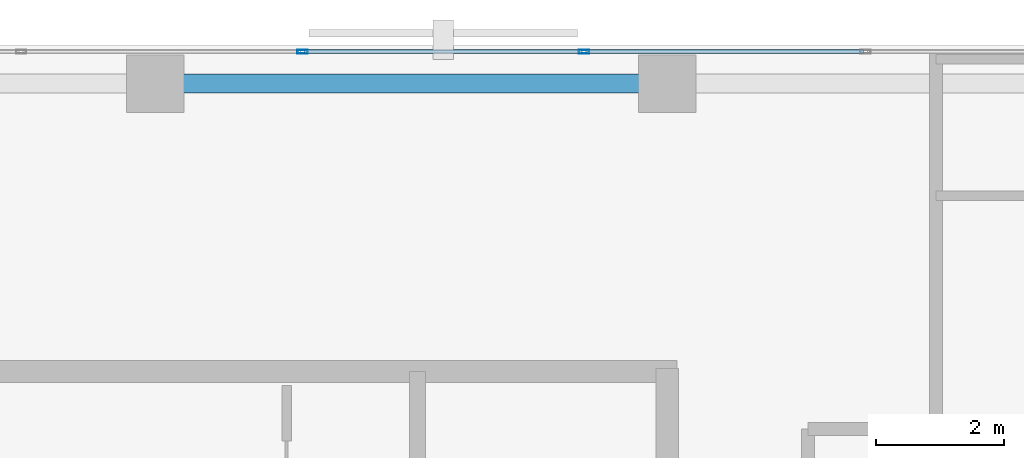
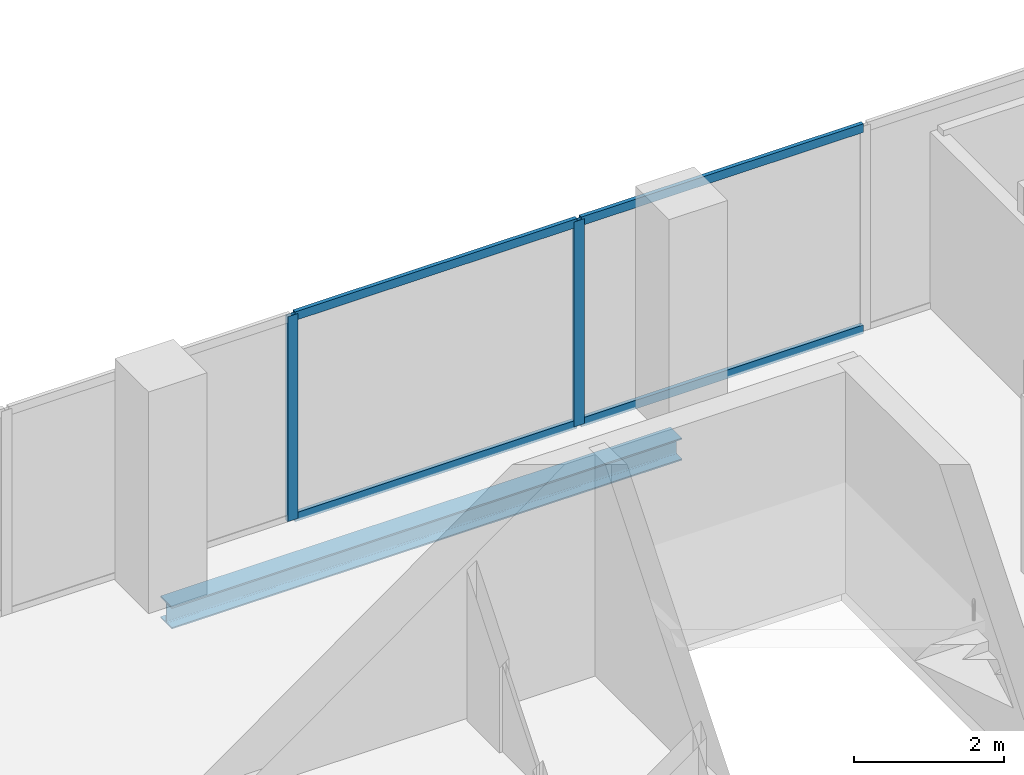
# One storey, part 24 of 33: 6 members, 1 beam, 1 element without a shape of its own.
"""IFC4 building model written with IfcOpenShell, lengths in metres."""

from ifc_helpers import new_model, si_unit, direction, frame, origin, origin_2d, place, context, subcontext, project, spatial, hollow_rectangle, i_section, extrude, material, layer, layer_set, material_profile, profile_set, type_object, element, aggregate, save


model = new_model("IFC4")

# Units and contexts
model_context = context("Model", 3, precision=1e-05, world=origin(), true_north=direction((0.0, 1.0)))
body_context = subcontext(model_context, "Body", "Model", "MODEL_VIEW")
ifc_project = project(units=[si_unit("LENGTHUNIT", "METRE"), si_unit("AREAUNIT", "SQUARE_METRE"), si_unit("VOLUMEUNIT", "CUBIC_METRE"), si_unit("PLANEANGLEUNIT", "RADIAN"), si_unit("MASSUNIT", "GRAM", prefix="KILO")], contexts=[model_context])

# Site, building, storey
site_placement = place(None, origin())
site = spatial("IfcSite", under=ifc_project, at=site_placement, CompositionType="ELEMENT")
building_placement = place(site_placement, origin())
building = spatial("IfcBuilding", under=site, at=building_placement, Name="Catumbela Crestline Tower", CompositionType="ELEMENT")
storey_placement = place(building_placement, frame((0.0, 0.0, 104.4)))
storey = spatial("IfcBuildingStorey", under=building, at=storey_placement, Name="L26", CompositionType="ELEMENT", Elevation=104.4)

# Curtain wall, members
ifc_material_1 = material(Name="Aluminium alloy AW-6060-T66", Category="aluminium")
ifc_layer = layer(ifc_material_1, 0.18, Name="Aluminium alloy AW-6060-T66")
ifc_layer_set = layer_set([ifc_layer], Name="Aluminium alloy AW-6060-T66")
curtain_wall_type = type_object("IfcCurtainWallType", Name="CWU-Z2", PredefinedType="USERDEFINED", material=ifc_layer_set)
curtain_wall_placement = place(storey_placement, origin())
curtain_wall = element("IfcCurtainWall", 1, at=curtain_wall_placement, inside=storey, type_object=curtain_wall_type, Name="L26 Unitised Curtain Wall CW-L26-E7S1", ObjectType="UNITISED", PredefinedType="USERDEFINED")
ifc_material_profile_1 = material_profile(ifc_material_1, hollow_rectangle(XDim=0.06, YDim=0.16, WallThickness=0.004, at=origin_2d()), Name="ALU 160x60x4")
ifc_profile_set_1 = profile_set([ifc_material_profile_1], Name="Aluminium alloy AW-6060-T66")
member_type_1 = type_object("IfcMemberType", Name="MUL-160X60", PredefinedType="MULLION", material=ifc_profile_set_1)
member_1_placement = place(storey_placement, frame((38.7, 47.9, 0.0), z_axis=(0.0, 0.0, 1.0), x_axis=(0.0, -1.0, 0.0)))
member_1 = element("IfcMember", 2, at=member_1_placement, type_object=member_type_1, Name="CWU-Z2 mullion 3", PredefinedType="MULLION", context=body_context, shape_type="SweptSolid", body=[
    extrude(hollow_rectangle(XDim=0.06, YDim=0.16, WallThickness=0.004, at=origin_2d()), origin(), (0.0, 0.0, 1.0), 3.33),
])
member_2_placement = place(storey_placement, frame((34.3, 47.9, 0.0), z_axis=(0.0, 0.0, 1.0), x_axis=(0.0, -1.0, 0.0)))
member_2 = element("IfcMember", 3, at=member_2_placement, type_object=member_type_1, Name="CWU-Z2 mullion 4", PredefinedType="MULLION", context=body_context, shape_type="SweptSolid", body=[
    extrude(hollow_rectangle(XDim=0.06, YDim=0.16, WallThickness=0.004, at=origin_2d()), origin(), (0.0, 0.0, 1.0), 3.33),
])

# Beam
ifc_material_2 = material(Name="Structural steel S355J2", Category="steel")
ifc_material_profile_2 = material_profile(ifc_material_2, i_section(OverallWidth=0.3, OverallDepth=0.36, WebThickness=0.0125, FlangeThickness=0.0225, FilletRadius=0.027, at=origin_2d()), Name="HEB 360")
ifc_profile_set_2 = profile_set([ifc_material_profile_2], Name="Structural steel S355J2")
beam_type = type_object("IfcBeamType", Name="BS-HEB360", PredefinedType="SPANDREL", material=ifc_profile_set_2)
beam_placement = place(storey_placement, frame((32.08, 47.4, -0.44), z_axis=(1.0, 0.0, 0.0), x_axis=(0.0, 1.0, 0.0)))
element("IfcBeam", 4, at=beam_placement, inside=storey, type_object=beam_type, Name="L26 Spandrel SP-L26-NF20", PredefinedType="SPANDREL", context=body_context, shape_type="SweptSolid", body=[
    extrude(i_section(OverallWidth=0.3, OverallDepth=0.36, WebThickness=0.0125, FlangeThickness=0.0225, FilletRadius=0.027, at=origin_2d()), origin(), (0.0, 0.0, 1.0), 7.84),
])

# Member
ifc_material_profile_3 = material_profile(ifc_material_1, hollow_rectangle(XDim=0.06, YDim=0.14, WallThickness=0.004, at=origin_2d()), Name="ALU 140x60x4")
ifc_profile_set_3 = profile_set([ifc_material_profile_3], Name="Aluminium alloy AW-6060-T66")
member_type_2 = type_object("IfcMemberType", Name="TRN-140X60", PredefinedType="USERDEFINED", material=ifc_profile_set_3)
member_3_placement = place(storey_placement, frame((43.0675, 47.9, 0.03), z_axis=(-1.0, 0.0, 0.0), x_axis=(0.0, -1.0, 0.0)))
member_3 = element("IfcMember", 5, at=member_3_placement, type_object=member_type_2, Name="CWU-Z2 transom 2.1", ObjectType="TRANSOM", PredefinedType="USERDEFINED", context=body_context, shape_type="SweptSolid", body=[
    extrude(hollow_rectangle(XDim=0.06, YDim=0.14, WallThickness=0.004, at=origin_2d()), origin(), (0.0, 0.0, 1.0), 4.335),
])

member_4_placement = place(storey_placement, frame((43.0675, 47.9, 3.3), z_axis=(-1.0, 0.0, 0.0), x_axis=(0.0, -1.0, 0.0)))
member_4 = element("IfcMember", 6, at=member_4_placement, type_object=member_type_2, Name="CWU-Z2 transom 2.2", ObjectType="TRANSOM", PredefinedType="USERDEFINED", context=body_context, shape_type="SweptSolid", body=[
    extrude(hollow_rectangle(XDim=0.06, YDim=0.14, WallThickness=0.004, at=origin_2d()), origin(), (0.0, 0.0, 1.0), 4.335),
])

member_5_placement = place(storey_placement, frame((38.6675, 47.9, 0.03), z_axis=(-1.0, 0.0, 0.0), x_axis=(0.0, -1.0, 0.0)))
member_5 = element("IfcMember", 7, at=member_5_placement, type_object=member_type_2, Name="CWU-Z2 transom 3.1", ObjectType="TRANSOM", PredefinedType="USERDEFINED", context=body_context, shape_type="SweptSolid", body=[
    extrude(hollow_rectangle(XDim=0.06, YDim=0.14, WallThickness=0.004, at=origin_2d()), origin(), (0.0, 0.0, 1.0), 4.335),
])

member_6_placement = place(storey_placement, frame((38.6675, 47.9, 3.3), z_axis=(-1.0, 0.0, 0.0), x_axis=(0.0, -1.0, 0.0)))
member_6 = element("IfcMember", 8, at=member_6_placement, type_object=member_type_2, Name="CWU-Z2 transom 3.2", ObjectType="TRANSOM", PredefinedType="USERDEFINED", context=body_context, shape_type="SweptSolid", body=[
    extrude(hollow_rectangle(XDim=0.06, YDim=0.14, WallThickness=0.004, at=origin_2d()), origin(), (0.0, 0.0, 1.0), 4.335),
])

aggregate(curtain_wall, [member_1, member_2, member_3, member_4, member_5, member_6])

save(model, "model.ifc")
